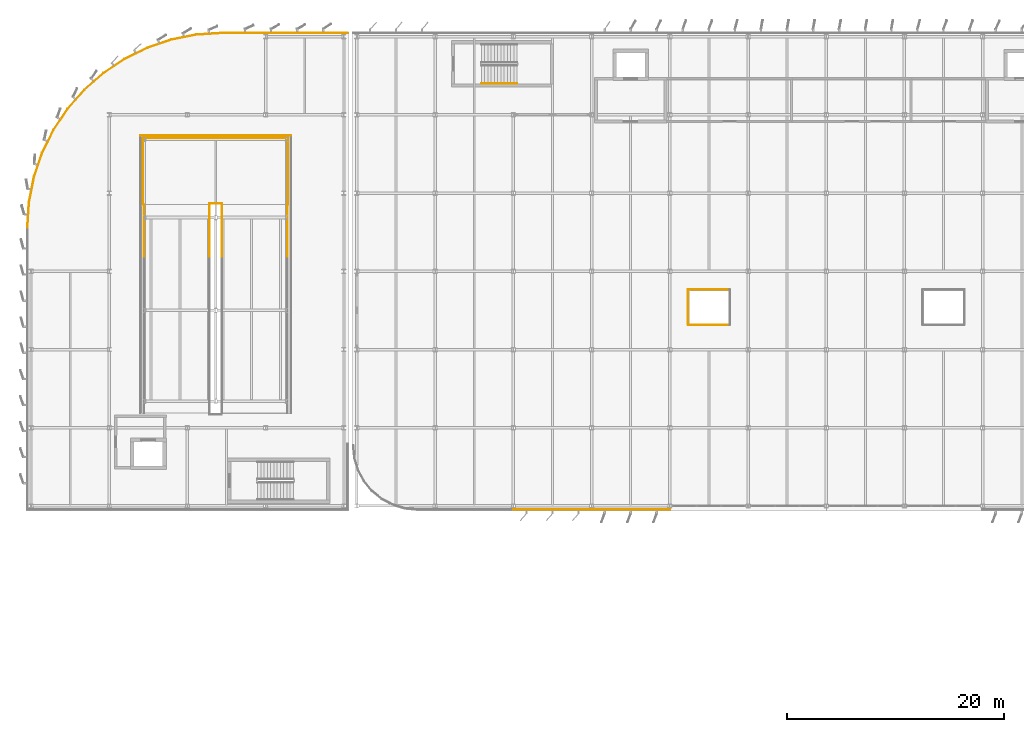
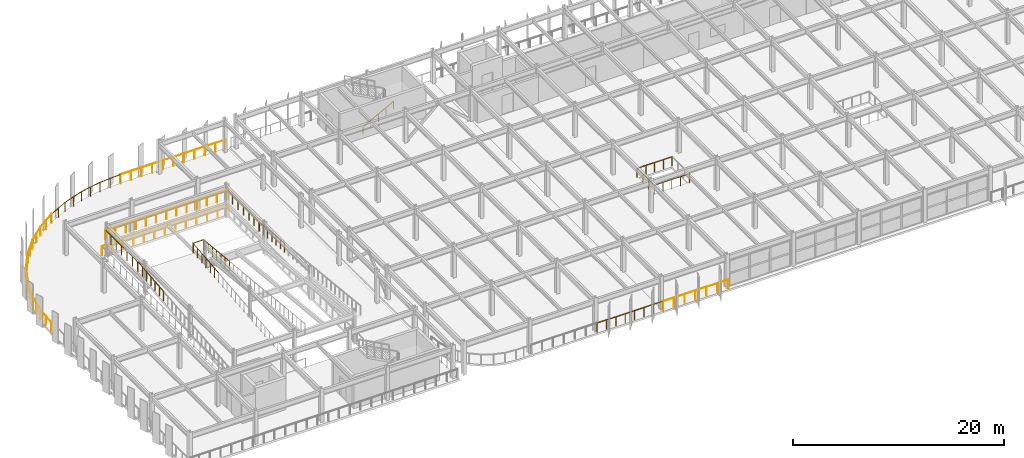
# One storey, part 44 of 52: 28 railings.
"""IFC4 building model written with IfcOpenShell, lengths in metres."""

from ifc_helpers import new_model, si_unit, direction, frame, origin, origin_2d, place, context, subcontext, project, spatial, circle, extrude, material, layer, layer_set, type_object, element, save


model = new_model("IFC4")

# Units and contexts
model_context = context("Model", 3, precision=1e-05, world=origin(), true_north=direction((0.0, 1.0)))
body_context = subcontext(model_context, "Body", "Model", "MODEL_VIEW")
ifc_project = project(units=[si_unit("LENGTHUNIT", "METRE"), si_unit("AREAUNIT", "SQUARE_METRE"), si_unit("VOLUMEUNIT", "CUBIC_METRE"), si_unit("PLANEANGLEUNIT", "RADIAN"), si_unit("MASSUNIT", "GRAM", prefix="KILO")], contexts=[model_context])

# Site, building, storey
site_placement = place(None, origin())
site = spatial("IfcSite", under=ifc_project, at=site_placement, CompositionType="ELEMENT")
building_placement = place(site_placement, origin())
building = spatial("IfcBuilding", under=site, at=building_placement, Name="Vaelcorin Mobility Hub", CompositionType="ELEMENT")
storey_placement = place(building_placement, frame((0.0, 0.0, 13.199951171875)))
storey = spatial("IfcBuildingStorey", under=building, at=storey_placement, Name="L03", CompositionType="ELEMENT", Elevation=13.199951171875)

# Railings
ifc_material_1 = material(Name="Galvanised structural steel ASTM A36", Category="steel")
ifc_layer_1 = layer(ifc_material_1, 0.070068359375)
ifc_layer_set_1 = layer_set([ifc_layer_1], Name="Galvanised structural steel ASTM A36")
railing_type_1 = type_object("IfcRailingType", Name="RL-GUARD-1100", PredefinedType="BALUSTRADE", material=ifc_layer_set_1)
railing_1_placement = place(storey_placement, frame((50.39990234375, 76.469970703125, 0.0)))
element("IfcRailing", 1, at=railing_1_placement, inside=storey, type_object=railing_type_1, Name="L03 Perimeter Guard GR-V4-L03-S-03-01", PredefinedType="BALUSTRADE", context=body_context, shape_type="SweptSolid", body=[
    extrude(circle(Radius=0.02392578125, at=origin_2d()), frame((0.0, 0.0, 1.076171875), z_axis=(1.0, 0.0, 0.0), x_axis=(0.0, 1.0, 0.0)), (0.0, 0.0, 1.0), 7.2001953125),
    extrude(circle(Radius=0.02099609375, at=origin_2d()), origin(), (0.0, 0.0, 1.0), 1.052001953125),
    extrude(circle(Radius=0.02099609375, at=origin_2d()), frame((1.028564453125, 0.0, 0.0)), (0.0, 0.0, 1.0), 1.052001953125),
    extrude(circle(Radius=0.02099609375, at=origin_2d()), frame((2.05712890625, 0.0, 0.0)), (0.0, 0.0, 1.0), 1.052001953125),
    extrude(circle(Radius=0.02099609375, at=origin_2d()), frame((3.085693359375, 0.0, 0.0)), (0.0, 0.0, 1.0), 1.052001953125),
    extrude(circle(Radius=0.02099609375, at=origin_2d()), frame((4.114501953125, 0.0, 0.0)), (0.0, 0.0, 1.0), 1.052001953125),
    extrude(circle(Radius=0.02099609375, at=origin_2d()), frame((5.14306640625, 0.0, 0.0)), (0.0, 0.0, 1.0), 1.052001953125),
    extrude(circle(Radius=0.02099609375, at=origin_2d()), frame((6.171630859375, 0.0, 0.0)), (0.0, 0.0, 1.0), 1.052001953125),
    extrude(circle(Radius=0.02099609375, at=origin_2d()), frame((7.2001953125, 0.0, 0.0)), (0.0, 0.0, 1.0), 1.052001953125),
])
railing_2_placement = place(storey_placement, frame((57.60009765625, 76.469970703125, 0.0)))
element("IfcRailing", 2, at=railing_2_placement, inside=storey, type_object=railing_type_1, Name="L03 Perimeter Guard GR-V4-L03-S-04-01", PredefinedType="BALUSTRADE", context=body_context, shape_type="SweptSolid", body=[
    extrude(circle(Radius=0.02392578125, at=origin_2d()), frame((0.0, 0.0, 1.076171875), z_axis=(1.0, 0.0, 0.0), x_axis=(0.0, 1.0, 0.0)), (0.0, 0.0, 1.0), 7.199951171875),
    extrude(circle(Radius=0.02099609375, at=origin_2d()), origin(), (0.0, 0.0, 1.0), 1.052001953125),
    extrude(circle(Radius=0.02099609375, at=origin_2d()), frame((1.199951171875, 0.0, 0.0)), (0.0, 0.0, 1.0), 1.052001953125),
    extrude(circle(Radius=0.02099609375, at=origin_2d()), frame((2.39990234375, 0.0, 0.0)), (0.0, 0.0, 1.0), 1.052001953125),
    extrude(circle(Radius=0.02099609375, at=origin_2d()), frame((3.60009765625, 0.0, 0.0)), (0.0, 0.0, 1.0), 1.052001953125),
    extrude(circle(Radius=0.02099609375, at=origin_2d()), frame((4.800048828125, 0.0, 0.0)), (0.0, 0.0, 1.0), 1.052001953125),
    extrude(circle(Radius=0.02099609375, at=origin_2d()), frame((6.0, 0.0, 0.0)), (0.0, 0.0, 1.0), 1.052001953125),
    extrude(circle(Radius=0.02099609375, at=origin_2d()), frame((7.199951171875, 0.0, 0.0)), (0.0, 0.0, 1.0), 1.052001953125),
])
railing_3_placement = place(storey_placement, frame((66.47998046875, 93.47998046875, 0.0)))
element("IfcRailing", 3, at=railing_3_placement, inside=storey, type_object=railing_type_1, Name="L03 Perimeter Guard GR-V4-L03-LW1-01", PredefinedType="BALUSTRADE", context=body_context, shape_type="SweptSolid", body=[
    extrude(circle(Radius=0.02392578125, at=origin_2d()), frame((0.0, 0.0, 1.076171875), z_axis=(1.0, 0.0, 0.0), x_axis=(0.0, 1.0, 0.0)), (0.0, 0.0, 1.0), 3.840087890625),
    extrude(circle(Radius=0.02099609375, at=origin_2d()), origin(), (0.0, 0.0, 1.0), 1.052001953125),
    extrude(circle(Radius=0.02099609375, at=origin_2d()), frame((0.9599609375, 0.0, 0.0)), (0.0, 0.0, 1.0), 1.052001953125),
    extrude(circle(Radius=0.02099609375, at=origin_2d()), frame((1.919921875, 0.0, 0.0)), (0.0, 0.0, 1.0), 1.052001953125),
    extrude(circle(Radius=0.02099609375, at=origin_2d()), frame((2.880126953125, 0.0, 0.0)), (0.0, 0.0, 1.0), 1.052001953125),
    extrude(circle(Radius=0.02099609375, at=origin_2d()), frame((3.840087890625, 0.0, 0.0)), (0.0, 0.0, 1.0), 1.052001953125),
])
railing_4_placement = place(storey_placement, frame((70.320068359375, 96.719970703125, 0.0)))
element("IfcRailing", 4, at=railing_4_placement, inside=storey, type_object=railing_type_1, Name="L03 Perimeter Guard GR-V4-L03-LW1-03", PredefinedType="BALUSTRADE", context=body_context, shape_type="SweptSolid", body=[
    extrude(circle(Radius=0.02392578125, at=origin_2d()), frame((0.0, 0.0, 1.076171875), z_axis=(-1.0, 0.0, 0.0), x_axis=(0.0, -1.0, 0.0)), (0.0, 0.0, 1.0), 3.840087890625),
    extrude(circle(Radius=0.02099609375, at=origin_2d()), origin(), (0.0, 0.0, 1.0), 1.052001953125),
    extrude(circle(Radius=0.02099609375, at=origin_2d()), frame((-0.9599609375, 0.0, 0.0)), (0.0, 0.0, 1.0), 1.052001953125),
    extrude(circle(Radius=0.02099609375, at=origin_2d()), frame((-1.919921875, 0.0, 0.0)), (0.0, 0.0, 1.0), 1.052001953125),
    extrude(circle(Radius=0.02099609375, at=origin_2d()), frame((-2.880126953125, 0.0, 0.0)), (0.0, 0.0, 1.0), 1.052001953125),
    extrude(circle(Radius=0.02099609375, at=origin_2d()), frame((-3.840087890625, 0.0, 0.0)), (0.0, 0.0, 1.0), 1.052001953125),
])
railing_5_placement = place(storey_placement, frame((66.47998046875, 96.719970703125, 0.0)))
element("IfcRailing", 5, at=railing_5_placement, inside=storey, type_object=railing_type_1, Name="L03 Perimeter Guard GR-V4-L03-LW1-04", PredefinedType="BALUSTRADE", context=body_context, shape_type="SweptSolid", body=[
    extrude(circle(Radius=0.02392578125, at=origin_2d()), frame((0.0, 0.0, 1.076171875), z_axis=(0.0, -1.0, 0.0), x_axis=(1.0, 0.0, 0.0)), (0.0, 0.0, 1.0), 3.239990234375),
    extrude(circle(Radius=0.02099609375, at=origin_2d()), origin(), (0.0, 0.0, 1.0), 1.052001953125),
    extrude(circle(Radius=0.02099609375, at=origin_2d()), frame((0.0, -1.080078125, 0.0)), (0.0, 0.0, 1.0), 1.052001953125),
    extrude(circle(Radius=0.02099609375, at=origin_2d()), frame((0.0, -2.159912109375, 0.0)), (0.0, 0.0, 1.0), 1.052001953125),
    extrude(circle(Radius=0.02099609375, at=origin_2d()), frame((0.0, -3.239990234375, 0.0)), (0.0, 0.0, 1.0), 1.052001953125),
])
railing_6_placement = place(storey_placement, frame((16.080078125, 110.919921875, 0.0)))
element("IfcRailing", 6, at=railing_6_placement, inside=storey, type_object=railing_type_1, Name="L03 Perimeter Guard GR-V2W-L03-WELL-02", PredefinedType="BALUSTRADE", context=body_context, shape_type="SweptSolid", body=[
    extrude(circle(Radius=0.02392578125, at=origin_2d()), frame((0.0, 0.0, 1.076171875), z_axis=(1.0, 0.0, 0.0), x_axis=(0.0, 1.0, 0.0)), (0.0, 0.0, 1.0), 13.83984375),
    extrude(circle(Radius=0.02099609375, at=origin_2d()), origin(), (0.0, 0.0, 1.0), 1.052001953125),
    extrude(circle(Radius=0.02099609375, at=origin_2d()), frame((1.1533203125, 0.0, 0.0)), (0.0, 0.0, 1.0), 1.052001953125),
    extrude(circle(Radius=0.02099609375, at=origin_2d()), frame((2.306640625, 0.0, 0.0)), (0.0, 0.0, 1.0), 1.052001953125),
    extrude(circle(Radius=0.02099609375, at=origin_2d()), frame((3.4599609375, 0.0, 0.0)), (0.0, 0.0, 1.0), 1.052001953125),
    extrude(circle(Radius=0.02099609375, at=origin_2d()), frame((4.61328125, 0.0, 0.0)), (0.0, 0.0, 1.0), 1.052001953125),
    extrude(circle(Radius=0.02099609375, at=origin_2d()), frame((5.7666015625, 0.0, 0.0)), (0.0, 0.0, 1.0), 1.052001953125),
    extrude(circle(Radius=0.02099609375, at=origin_2d()), frame((6.919921875, 0.0, 0.0)), (0.0, 0.0, 1.0), 1.052001953125),
    extrude(circle(Radius=0.02099609375, at=origin_2d()), frame((8.0732421875, 0.0, 0.0)), (0.0, 0.0, 1.0), 1.052001953125),
    extrude(circle(Radius=0.02099609375, at=origin_2d()), frame((9.2265625, 0.0, 0.0)), (0.0, 0.0, 1.0), 1.052001953125),
    extrude(circle(Radius=0.02099609375, at=origin_2d()), frame((10.3798828125, 0.0, 0.0)), (0.0, 0.0, 1.0), 1.052001953125),
    extrude(circle(Radius=0.02099609375, at=origin_2d()), frame((11.533203125, 0.0, 0.0)), (0.0, 0.0, 1.0), 1.052001953125),
    extrude(circle(Radius=0.02099609375, at=origin_2d()), frame((12.6865234375, 0.0, 0.0)), (0.0, 0.0, 1.0), 1.052001953125),
    extrude(circle(Radius=0.02099609375, at=origin_2d()), frame((13.83984375, 0.0, 0.0)), (0.0, 0.0, 1.0), 1.052001953125),
])
for number, where, name in (
    (7, (16.3798828125, 99.7451171875, 1.462158203125), "L03 Ramp Guard GR-V2W-L03-FL1-W-04"),
    (8, (22.419921875, 99.7451171875, 1.462158203125), "L03 Ramp Guard GR-V2W-L03-FL1-E-04"),
):
    element("IfcRailing", number, at=place(storey_placement, frame(where)), inside=storey, type_object=railing_type_1, Name=name, PredefinedType="BALUSTRADE", context=body_context, shape_type="SweptSolid", body=[
        extrude(circle(Radius=0.02392578125, at=origin_2d()), frame((0.0, 0.0, 1.076171875), z_axis=(0.0, 0.994865207116, 0.101208792455), x_axis=(-1.0, 0.0, 0.0)), (0.0, 0.0, 1.0), 4.819580078125),
        extrude(circle(Radius=0.02099609375, at=origin_2d()), origin(), (0.0, 0.0, 1.0), 1.052001953125),
        extrude(circle(Radius=0.02099609375, at=origin_2d()), frame((0.0, 0.799072265625, 0.081298828125)), (0.0, 0.0, 1.0), 1.052001953125),
        extrude(circle(Radius=0.02099609375, at=origin_2d()), frame((0.0, 1.598388671875, 0.16259765625)), (0.0, 0.0, 1.0), 1.052001953125),
        extrude(circle(Radius=0.02099609375, at=origin_2d()), frame((0.0, 2.3974609375, 0.243896484375)), (0.0, 0.0, 1.0), 1.052001953125),
        extrude(circle(Radius=0.02099609375, at=origin_2d()), frame((0.0, 3.196533203125, 0.3251953125)), (0.0, 0.0, 1.0), 1.052001953125),
        extrude(circle(Radius=0.02099609375, at=origin_2d()), frame((0.0, 3.995849609375, 0.406494140625)), (0.0, 0.0, 1.0), 1.052001953125),
        extrude(circle(Radius=0.02099609375, at=origin_2d()), frame((0.0, 4.794921875, 0.48779296875)), (0.0, 0.0, 1.0), 1.052001953125),
    ])
for number, where, name in (
    (9, (23.580078125, 104.5400390625, 1.949951171875), "L03 Ramp Guard GR-V2W-L03-FL2-W-01"),
    (10, (29.6201171875, 104.5400390625, 1.949951171875), "L03 Ramp Guard GR-V2W-L03-FL2-E-01"),
):
    element("IfcRailing", number, at=place(storey_placement, frame(where)), inside=storey, type_object=railing_type_1, Name=name, PredefinedType="BALUSTRADE", context=body_context, shape_type="SweptSolid", body=[
        extrude(circle(Radius=0.02392578125, at=origin_2d()), frame((0.0, 0.0, 1.076171875), z_axis=(0.0, -0.994860105467, 0.10125892825), x_axis=(1.0, 0.0, 0.0)), (0.0, 0.0, 1.0), 4.819580078125),
        extrude(circle(Radius=0.02099609375, at=origin_2d()), origin(), (0.0, 0.0, 1.0), 1.052001953125),
        extrude(circle(Radius=0.02099609375, at=origin_2d()), frame((0.0, -0.799072265625, 0.081298828125)), (0.0, 0.0, 1.0), 1.052001953125),
        extrude(circle(Radius=0.02099609375, at=origin_2d()), frame((0.0, -1.598388671875, 0.16259765625)), (0.0, 0.0, 1.0), 1.052001953125),
        extrude(circle(Radius=0.02099609375, at=origin_2d()), frame((0.0, -2.3974609375, 0.244140625)), (0.0, 0.0, 1.0), 1.052001953125),
        extrude(circle(Radius=0.02099609375, at=origin_2d()), frame((0.0, -3.196533203125, 0.325439453125)), (0.0, 0.0, 1.0), 1.052001953125),
        extrude(circle(Radius=0.02099609375, at=origin_2d()), frame((0.0, -3.995849609375, 0.40673828125)), (0.0, 0.0, 1.0), 1.052001953125),
        extrude(circle(Radius=0.02099609375, at=origin_2d()), frame((0.0, -4.794921875, 0.488037109375)), (0.0, 0.0, 1.0), 1.052001953125),
    ])
railing_7_placement = place(storey_placement, frame((16.330078125, 104.56005859375, 1.949951171875)))
element("IfcRailing", 11, at=railing_7_placement, inside=storey, type_object=railing_type_1, Name="L03 Perimeter Guard GR-V2W-L03-LND-01", PredefinedType="BALUSTRADE", context=body_context, shape_type="SweptSolid", body=[
    extrude(circle(Radius=0.02392578125, at=origin_2d()), frame((0.0, 0.0, 1.076171875), z_axis=(0.0, 1.0, 0.0), x_axis=(-1.0, 0.0, 0.0)), (0.0, 0.0, 1.0), 6.10986328125),
    extrude(circle(Radius=0.02099609375, at=origin_2d()), origin(), (0.0, 0.0, 1.0), 1.052001953125),
    extrude(circle(Radius=0.02099609375, at=origin_2d()), frame((0.0, 1.018310546875, 0.0)), (0.0, 0.0, 1.0), 1.052001953125),
    extrude(circle(Radius=0.02099609375, at=origin_2d()), frame((0.0, 2.03662109375, 0.0)), (0.0, 0.0, 1.0), 1.052001953125),
    extrude(circle(Radius=0.02099609375, at=origin_2d()), frame((0.0, 3.054931640625, 0.0)), (0.0, 0.0, 1.0), 1.052001953125),
    extrude(circle(Radius=0.02099609375, at=origin_2d()), frame((0.0, 4.0732421875, 0.0)), (0.0, 0.0, 1.0), 1.052001953125),
    extrude(circle(Radius=0.02099609375, at=origin_2d()), frame((0.0, 5.091552734375, 0.0)), (0.0, 0.0, 1.0), 1.052001953125),
    extrude(circle(Radius=0.02099609375, at=origin_2d()), frame((0.0, 6.10986328125, 0.0)), (0.0, 0.0, 1.0), 1.052001953125),
])
railing_8_placement = place(storey_placement, frame((16.330078125, 110.669921875, 1.949951171875)))
element("IfcRailing", 12, at=railing_8_placement, inside=storey, type_object=railing_type_1, Name="L03 Perimeter Guard GR-V2W-L03-LND-02", PredefinedType="BALUSTRADE", context=body_context, shape_type="SweptSolid", body=[
    extrude(circle(Radius=0.02392578125, at=origin_2d()), frame((0.0, 0.0, 1.076171875), z_axis=(1.0, 0.0, 0.0), x_axis=(0.0, 1.0, 0.0)), (0.0, 0.0, 1.0), 13.33984375),
    extrude(circle(Radius=0.02099609375, at=origin_2d()), origin(), (0.0, 0.0, 1.0), 1.052001953125),
    extrude(circle(Radius=0.02099609375, at=origin_2d()), frame((1.111572265625, 0.0, 0.0)), (0.0, 0.0, 1.0), 1.052001953125),
    extrude(circle(Radius=0.02099609375, at=origin_2d()), frame((2.223388671875, 0.0, 0.0)), (0.0, 0.0, 1.0), 1.052001953125),
    extrude(circle(Radius=0.02099609375, at=origin_2d()), frame((3.3349609375, 0.0, 0.0)), (0.0, 0.0, 1.0), 1.052001953125),
    extrude(circle(Radius=0.02099609375, at=origin_2d()), frame((4.446533203125, 0.0, 0.0)), (0.0, 0.0, 1.0), 1.052001953125),
    extrude(circle(Radius=0.02099609375, at=origin_2d()), frame((5.558349609375, 0.0, 0.0)), (0.0, 0.0, 1.0), 1.052001953125),
    extrude(circle(Radius=0.02099609375, at=origin_2d()), frame((6.669921875, 0.0, 0.0)), (0.0, 0.0, 1.0), 1.052001953125),
    extrude(circle(Radius=0.02099609375, at=origin_2d()), frame((7.781494140625, 0.0, 0.0)), (0.0, 0.0, 1.0), 1.052001953125),
    extrude(circle(Radius=0.02099609375, at=origin_2d()), frame((8.893310546875, 0.0, 0.0)), (0.0, 0.0, 1.0), 1.052001953125),
    extrude(circle(Radius=0.02099609375, at=origin_2d()), frame((10.0048828125, 0.0, 0.0)), (0.0, 0.0, 1.0), 1.052001953125),
    extrude(circle(Radius=0.02099609375, at=origin_2d()), frame((11.116455078125, 0.0, 0.0)), (0.0, 0.0, 1.0), 1.052001953125),
    extrude(circle(Radius=0.02099609375, at=origin_2d()), frame((12.228271484375, 0.0, 0.0)), (0.0, 0.0, 1.0), 1.052001953125),
    extrude(circle(Radius=0.02099609375, at=origin_2d()), frame((13.33984375, 0.0, 0.0)), (0.0, 0.0, 1.0), 1.052001953125),
])
railing_9_placement = place(storey_placement, frame((29.669921875, 110.669921875, 1.949951171875)))
element("IfcRailing", 13, at=railing_9_placement, inside=storey, type_object=railing_type_1, Name="L03 Perimeter Guard GR-V2W-L03-LND-03", PredefinedType="BALUSTRADE", context=body_context, shape_type="SweptSolid", body=[
    extrude(circle(Radius=0.02392578125, at=origin_2d()), frame((0.0, 0.0, 1.076171875), z_axis=(0.0, -1.0, 0.0), x_axis=(1.0, 0.0, 0.0)), (0.0, 0.0, 1.0), 6.10986328125),
    extrude(circle(Radius=0.02099609375, at=origin_2d()), origin(), (0.0, 0.0, 1.0), 1.052001953125),
    extrude(circle(Radius=0.02099609375, at=origin_2d()), frame((0.0, -1.018310546875, 0.0)), (0.0, 0.0, 1.0), 1.052001953125),
    extrude(circle(Radius=0.02099609375, at=origin_2d()), frame((0.0, -2.03662109375, 0.0)), (0.0, 0.0, 1.0), 1.052001953125),
    extrude(circle(Radius=0.02099609375, at=origin_2d()), frame((0.0, -3.054931640625, 0.0)), (0.0, 0.0, 1.0), 1.052001953125),
    extrude(circle(Radius=0.02099609375, at=origin_2d()), frame((0.0, -4.0732421875, 0.0)), (0.0, 0.0, 1.0), 1.052001953125),
    extrude(circle(Radius=0.02099609375, at=origin_2d()), frame((0.0, -5.091552734375, 0.0)), (0.0, 0.0, 1.0), 1.052001953125),
    extrude(circle(Radius=0.02099609375, at=origin_2d()), frame((0.0, -6.10986328125, 0.0)), (0.0, 0.0, 1.0), 1.052001953125),
])
railing_10_placement = place(storey_placement, frame((22.419921875, 104.639892578125, 1.949951171875)))
element("IfcRailing", 14, at=railing_10_placement, inside=storey, type_object=railing_type_1, Name="L03 Perimeter Guard GR-V2W-L03-LND-MED-01", PredefinedType="BALUSTRADE", context=body_context, shape_type="SweptSolid", body=[
    extrude(circle(Radius=0.02392578125, at=origin_2d()), frame((0.0, 0.0, 1.076171875), z_axis=(1.0, 0.0, 0.0), x_axis=(0.0, 1.0, 0.0)), (0.0, 0.0, 1.0), 1.16015625),
    extrude(circle(Radius=0.02099609375, at=origin_2d()), origin(), (0.0, 0.0, 1.0), 1.052001953125),
    extrude(circle(Radius=0.02099609375, at=origin_2d()), frame((1.16015625, 0.0, 0.0)), (0.0, 0.0, 1.0), 1.052001953125),
])
railing_11_placement = place(storey_placement, frame((5.669921875, 102.449951171875, 0.0)))
element("IfcRailing", 15, at=railing_11_placement, inside=storey, type_object=railing_type_1, Name="L03 Perimeter Guard GR-V2W-L03-04", PredefinedType="BALUSTRADE", context=body_context, shape_type="SweptSolid", body=[
    extrude(circle(Radius=0.02392578125, at=origin_2d()), frame((0.0, 0.0, 1.076171875), z_axis=(0.065445169106, 0.99785616691, 0.0), x_axis=(-0.99785616691, 0.065445169106, 0.0)), (0.0, 0.0, 1.0), 2.339111328125),
    extrude(circle(Radius=0.02099609375, at=origin_2d()), origin(), (0.0, 0.0, 1.0), 1.052001953125),
    extrude(circle(Radius=0.02099609375, at=origin_2d()), frame((0.07666015625, 1.1669921875, 0.0)), (0.0, 0.0, 1.0), 1.052001953125),
    extrude(circle(Radius=0.02099609375, at=origin_2d()), frame((0.153076171875, 2.333984375, 0.0)), (0.0, 0.0, 1.0), 1.052001953125),
])
railing_12_placement = place(storey_placement, frame((5.822998046875, 104.783935546875, 0.0)))
element("IfcRailing", 16, at=railing_12_placement, inside=storey, type_object=railing_type_1, Name="L03 Perimeter Guard GR-V2W-L03-05", PredefinedType="BALUSTRADE", context=body_context, shape_type="SweptSolid", body=[
    extrude(circle(Radius=0.02392578125, at=origin_2d()), frame((0.0, 0.0, 1.076171875), z_axis=(0.194991856212, 0.980804861331, 0.0), x_axis=(-0.980804861331, 0.194991856212, 0.0)), (0.0, 0.0, 1.0), 2.3388671875),
    extrude(circle(Radius=0.02099609375, at=origin_2d()), origin(), (0.0, 0.0, 1.0), 1.052001953125),
    extrude(circle(Radius=0.02099609375, at=origin_2d()), frame((0.22802734375, 1.14697265625, 0.0)), (0.0, 0.0, 1.0), 1.052001953125),
    extrude(circle(Radius=0.02099609375, at=origin_2d()), frame((0.4560546875, 2.2939453125, 0.0)), (0.0, 0.0, 1.0), 1.052001953125),
])
railing_13_placement = place(storey_placement, frame((6.279052734375, 107.077880859375, 0.0)))
element("IfcRailing", 17, at=railing_13_placement, inside=storey, type_object=railing_type_1, Name="L03 Perimeter Guard GR-V2W-L03-06", PredefinedType="BALUSTRADE", context=body_context, shape_type="SweptSolid", body=[
    extrude(circle(Radius=0.02392578125, at=origin_2d()), frame((0.0, 0.0, 1.076171875), z_axis=(0.321578893855, 0.946882788431, 0.0), x_axis=(-0.946882788431, 0.321578893855, 0.0)), (0.0, 0.0, 1.0), 2.33837890625),
    extrude(circle(Radius=0.02099609375, at=origin_2d()), origin(), (0.0, 0.0, 1.0), 1.052001953125),
    extrude(circle(Radius=0.02099609375, at=origin_2d()), frame((0.3759765625, 1.10693359375, 0.0)), (0.0, 0.0, 1.0), 1.052001953125),
    extrude(circle(Radius=0.02099609375, at=origin_2d()), frame((0.751953125, 2.214111328125, 0.0)), (0.0, 0.0, 1.0), 1.052001953125),
])
railing_14_placement = place(storey_placement, frame((7.031005859375, 109.2919921875, 0.0)))
element("IfcRailing", 18, at=railing_14_placement, inside=storey, type_object=railing_type_1, Name="L03 Perimeter Guard GR-V2W-L03-07", PredefinedType="BALUSTRADE", context=body_context, shape_type="SweptSolid", body=[
    extrude(circle(Radius=0.02392578125, at=origin_2d()), frame((0.0, 0.0, 1.076171875), z_axis=(0.442070481095, 0.896980317367, 0.0), x_axis=(-0.896980317367, 0.442070481095, 0.0)), (0.0, 0.0, 1.0), 2.3388671875),
    extrude(circle(Radius=0.02099609375, at=origin_2d()), origin(), (0.0, 0.0, 1.0), 1.052001953125),
    extrude(circle(Radius=0.02099609375, at=origin_2d()), frame((0.51708984375, 1.048828125, 0.0)), (0.0, 0.0, 1.0), 1.052001953125),
    extrude(circle(Radius=0.02099609375, at=origin_2d()), frame((1.033935546875, 2.097900390625, 0.0)), (0.0, 0.0, 1.0), 1.052001953125),
])
railing_15_placement = place(storey_placement, frame((8.06494140625, 111.389892578125, 0.0)))
element("IfcRailing", 19, at=railing_15_placement, inside=storey, type_object=railing_type_1, Name="L03 Perimeter Guard GR-V2W-L03-08", PredefinedType="BALUSTRADE", context=body_context, shape_type="SweptSolid", body=[
    extrude(circle(Radius=0.02392578125, at=origin_2d()), frame((0.0, 0.0, 1.076171875), z_axis=(0.555687158809, 0.831391473095, 0.0), x_axis=(-0.831391473095, 0.555687158809, 0.0)), (0.0, 0.0, 1.0), 2.339599609375),
    extrude(circle(Radius=0.02099609375, at=origin_2d()), origin(), (0.0, 0.0, 1.0), 1.052001953125),
    extrude(circle(Radius=0.02099609375, at=origin_2d()), frame((0.64990234375, 0.97265625, 0.0)), (0.0, 0.0, 1.0), 1.052001953125),
    extrude(circle(Radius=0.02099609375, at=origin_2d()), frame((1.300048828125, 1.945068359375, 0.0)), (0.0, 0.0, 1.0), 1.052001953125),
])
railing_16_placement = place(storey_placement, frame((9.364990234375, 113.3349609375, 0.0)))
element("IfcRailing", 20, at=railing_16_placement, inside=storey, type_object=railing_type_1, Name="L03 Perimeter Guard GR-V2W-L03-09", PredefinedType="BALUSTRADE", context=body_context, shape_type="SweptSolid", body=[
    extrude(circle(Radius=0.02392578125, at=origin_2d()), frame((0.0, 0.0, 1.076171875), z_axis=(0.659398483057, 0.751793615657, 0.0), x_axis=(-0.751793615657, 0.659398483057, 0.0)), (0.0, 0.0, 1.0), 2.33837890625),
    extrude(circle(Radius=0.02099609375, at=origin_2d()), origin(), (0.0, 0.0, 1.0), 1.052001953125),
    extrude(circle(Radius=0.02099609375, at=origin_2d()), frame((0.77099609375, 0.87890625, 0.0)), (0.0, 0.0, 1.0), 1.052001953125),
    extrude(circle(Radius=0.02099609375, at=origin_2d()), frame((1.5419921875, 1.758056640625, 0.0)), (0.0, 0.0, 1.0), 1.052001953125),
])
railing_17_placement = place(storey_placement, frame((10.906982421875, 115.093017578125, 0.0)))
element("IfcRailing", 21, at=railing_17_placement, inside=storey, type_object=railing_type_1, Name="L03 Perimeter Guard GR-V2W-L03-10", PredefinedType="BALUSTRADE", context=body_context, shape_type="SweptSolid", body=[
    extrude(circle(Radius=0.02392578125, at=origin_2d()), frame((0.0, 0.0, 1.076171875), z_axis=(0.751793615657, 0.659398483057, 0.0), x_axis=(-0.659398483057, 0.751793615657, 0.0)), (0.0, 0.0, 1.0), 2.33837890625),
    extrude(circle(Radius=0.02099609375, at=origin_2d()), origin(), (0.0, 0.0, 1.0), 1.052001953125),
    extrude(circle(Radius=0.02099609375, at=origin_2d()), frame((0.87890625, 0.77099609375, 0.0)), (0.0, 0.0, 1.0), 1.052001953125),
    extrude(circle(Radius=0.02099609375, at=origin_2d()), frame((1.758056640625, 1.5419921875, 0.0)), (0.0, 0.0, 1.0), 1.052001953125),
])
railing_18_placement = place(storey_placement, frame((12.6650390625, 116.635009765625, 0.0)))
element("IfcRailing", 22, at=railing_18_placement, inside=storey, type_object=railing_type_1, Name="L03 Perimeter Guard GR-V2W-L03-11", PredefinedType="BALUSTRADE", context=body_context, shape_type="SweptSolid", body=[
    extrude(circle(Radius=0.02392578125, at=origin_2d()), frame((0.0, 0.0, 1.076171875), z_axis=(0.831391473095, 0.555687158809, 0.0), x_axis=(-0.555687158809, 0.831391473095, 0.0)), (0.0, 0.0, 1.0), 2.339599609375),
    extrude(circle(Radius=0.02099609375, at=origin_2d()), origin(), (0.0, 0.0, 1.0), 1.052001953125),
    extrude(circle(Radius=0.02099609375, at=origin_2d()), frame((0.97265625, 0.64990234375, 0.0)), (0.0, 0.0, 1.0), 1.052001953125),
    extrude(circle(Radius=0.02099609375, at=origin_2d()), frame((1.945068359375, 1.300048828125, 0.0)), (0.0, 0.0, 1.0), 1.052001953125),
])
railing_19_placement = place(storey_placement, frame((14.610107421875, 117.93505859375, 0.0)))
element("IfcRailing", 23, at=railing_19_placement, inside=storey, type_object=railing_type_1, Name="L03 Perimeter Guard GR-V2W-L03-12", PredefinedType="BALUSTRADE", context=body_context, shape_type="SweptSolid", body=[
    extrude(circle(Radius=0.02392578125, at=origin_2d()), frame((0.0, 0.0, 1.076171875), z_axis=(0.896980317367, 0.442070481095, 0.0), x_axis=(-0.442070481095, 0.896980317367, 0.0)), (0.0, 0.0, 1.0), 2.3388671875),
    extrude(circle(Radius=0.02099609375, at=origin_2d()), origin(), (0.0, 0.0, 1.0), 1.052001953125),
    extrude(circle(Radius=0.02099609375, at=origin_2d()), frame((1.048828125, 0.51708984375, 0.0)), (0.0, 0.0, 1.0), 1.052001953125),
    extrude(circle(Radius=0.02099609375, at=origin_2d()), frame((2.097900390625, 1.033935546875, 0.0)), (0.0, 0.0, 1.0), 1.052001953125),
])
railing_20_placement = place(storey_placement, frame((16.7080078125, 118.968994140625, 0.0)))
element("IfcRailing", 24, at=railing_20_placement, inside=storey, type_object=railing_type_1, Name="L03 Perimeter Guard GR-V2W-L03-13", PredefinedType="BALUSTRADE", context=body_context, shape_type="SweptSolid", body=[
    extrude(circle(Radius=0.02392578125, at=origin_2d()), frame((0.0, 0.0, 1.076171875), z_axis=(0.946882788431, 0.321578893855, 0.0), x_axis=(-0.321578893855, 0.946882788431, 0.0)), (0.0, 0.0, 1.0), 2.33837890625),
    extrude(circle(Radius=0.02099609375, at=origin_2d()), origin(), (0.0, 0.0, 1.0), 1.052001953125),
    extrude(circle(Radius=0.02099609375, at=origin_2d()), frame((1.10693359375, 0.3759765625, 0.0)), (0.0, 0.0, 1.0), 1.052001953125),
    extrude(circle(Radius=0.02099609375, at=origin_2d()), frame((2.214111328125, 0.751953125, 0.0)), (0.0, 0.0, 1.0), 1.052001953125),
])
railing_21_placement = place(storey_placement, frame((18.922119140625, 119.720947265625, 0.0)))
element("IfcRailing", 25, at=railing_21_placement, inside=storey, type_object=railing_type_1, Name="L03 Perimeter Guard GR-V2W-L03-14", PredefinedType="BALUSTRADE", context=body_context, shape_type="SweptSolid", body=[
    extrude(circle(Radius=0.02392578125, at=origin_2d()), frame((0.0, 0.0, 1.076171875), z_axis=(0.980804861331, 0.194991856212, 0.0), x_axis=(-0.194991856212, 0.980804861331, 0.0)), (0.0, 0.0, 1.0), 2.3388671875),
    extrude(circle(Radius=0.02099609375, at=origin_2d()), origin(), (0.0, 0.0, 1.0), 1.052001953125),
    extrude(circle(Radius=0.02099609375, at=origin_2d()), frame((1.14697265625, 0.22802734375, 0.0)), (0.0, 0.0, 1.0), 1.052001953125),
    extrude(circle(Radius=0.02099609375, at=origin_2d()), frame((2.2939453125, 0.4560546875, 0.0)), (0.0, 0.0, 1.0), 1.052001953125),
])
railing_22_placement = place(storey_placement, frame((21.216064453125, 120.177001953125, 0.0)))
element("IfcRailing", 26, at=railing_22_placement, inside=storey, type_object=railing_type_1, Name="L03 Perimeter Guard GR-V2W-L03-15", PredefinedType="BALUSTRADE", context=body_context, shape_type="SweptSolid", body=[
    extrude(circle(Radius=0.02392578125, at=origin_2d()), frame((0.0, 0.0, 1.076171875), z_axis=(0.99785616691, 0.065445169106, 0.0), x_axis=(-0.065445169106, 0.99785616691, 0.0)), (0.0, 0.0, 1.0), 2.339111328125),
    extrude(circle(Radius=0.02099609375, at=origin_2d()), origin(), (0.0, 0.0, 1.0), 1.052001953125),
    extrude(circle(Radius=0.02099609375, at=origin_2d()), frame((1.1669921875, 0.07666015625, 0.0)), (0.0, 0.0, 1.0), 1.052001953125),
    extrude(circle(Radius=0.02099609375, at=origin_2d()), frame((2.333984375, 0.153076171875, 0.0)), (0.0, 0.0, 1.0), 1.052001953125),
])
railing_23_placement = place(storey_placement, frame((23.550048828125, 120.330078125, 0.0)))
element("IfcRailing", 27, at=railing_23_placement, inside=storey, type_object=railing_type_1, Name="L03 Perimeter Guard GR-V2W-L03-16", PredefinedType="BALUSTRADE", context=body_context, shape_type="SweptSolid", body=[
    extrude(circle(Radius=0.02392578125, at=origin_2d()), frame((0.0, 0.0, 1.076171875), z_axis=(1.0, 0.0, 0.0), x_axis=(0.0, 1.0, 0.0)), (0.0, 0.0, 1.0), 11.579833984375),
    extrude(circle(Radius=0.02099609375, at=origin_2d()), origin(), (0.0, 0.0, 1.0), 1.052001953125),
    extrude(circle(Radius=0.02099609375, at=origin_2d()), frame((1.157958984375, 0.0, 0.0)), (0.0, 0.0, 1.0), 1.052001953125),
    extrude(circle(Radius=0.02099609375, at=origin_2d()), frame((2.31591796875, 0.0, 0.0)), (0.0, 0.0, 1.0), 1.052001953125),
    extrude(circle(Radius=0.02099609375, at=origin_2d()), frame((3.473876953125, 0.0, 0.0)), (0.0, 0.0, 1.0), 1.052001953125),
    extrude(circle(Radius=0.02099609375, at=origin_2d()), frame((4.6318359375, 0.0, 0.0)), (0.0, 0.0, 1.0), 1.052001953125),
    extrude(circle(Radius=0.02099609375, at=origin_2d()), frame((5.7900390625, 0.0, 0.0)), (0.0, 0.0, 1.0), 1.052001953125),
    extrude(circle(Radius=0.02099609375, at=origin_2d()), frame((6.947998046875, 0.0, 0.0)), (0.0, 0.0, 1.0), 1.052001953125),
    extrude(circle(Radius=0.02099609375, at=origin_2d()), frame((8.10595703125, 0.0, 0.0)), (0.0, 0.0, 1.0), 1.052001953125),
    extrude(circle(Radius=0.02099609375, at=origin_2d()), frame((9.263916015625, 0.0, 0.0)), (0.0, 0.0, 1.0), 1.052001953125),
    extrude(circle(Radius=0.02099609375, at=origin_2d()), frame((10.421875, 0.0, 0.0)), (0.0, 0.0, 1.0), 1.052001953125),
    extrude(circle(Radius=0.02099609375, at=origin_2d()), frame((11.579833984375, 0.0, 0.0)), (0.0, 0.0, 1.0), 1.052001953125),
])
ifc_material_2 = material(Name="Brushed stainless steel 316L", Category="steel")
ifc_layer_2 = layer(ifc_material_2, 0.048095703125)
ifc_layer_set_2 = layer_set([ifc_layer_2], Name="Brushed stainless steel 316L")
railing_type_2 = type_object("IfcRailingType", Name="RL-STAIR-HR", PredefinedType="HANDRAIL", material=ifc_layer_set_2)
railing_24_placement = place(storey_placement, frame((47.449951171875, 115.699951171875, 0.16259765625)))
element("IfcRailing", 28, at=railing_24_placement, inside=storey, type_object=railing_type_2, Name="L03 ST3 stair handrail 1", PredefinedType="HANDRAIL", context=body_context, shape_type="SweptSolid", body=[
    extrude(circle(Radius=0.02392578125, at=origin_2d()), frame((0.0, 0.0, 0.8759765625), z_axis=(0.879311263194, 0.0, 0.47624752222), x_axis=(0.0, 1.0, 0.0)), (0.0, 0.0, 1.0), 3.7529296875),
    extrude(circle(Radius=0.02099609375, at=origin_2d()), origin(), (0.0, 0.0, 1.0), 0.851806640625),
    extrude(circle(Radius=0.02099609375, at=origin_2d()), frame((0.824951171875, 0.0, 0.44677734375)), (0.0, 0.0, 1.0), 0.851806640625),
    extrude(circle(Radius=0.02099609375, at=origin_2d()), frame((1.64990234375, 0.0, 0.8935546875)), (0.0, 0.0, 1.0), 0.851806640625),
    extrude(circle(Radius=0.02099609375, at=origin_2d()), frame((2.47509765625, 0.0, 1.340576171875)), (0.0, 0.0, 1.0), 0.851806640625),
    extrude(circle(Radius=0.02099609375, at=origin_2d()), frame((3.300048828125, 0.0, 1.787353515625)), (0.0, 0.0, 1.0), 0.851806640625),
])

save(model, "model.ifc")
